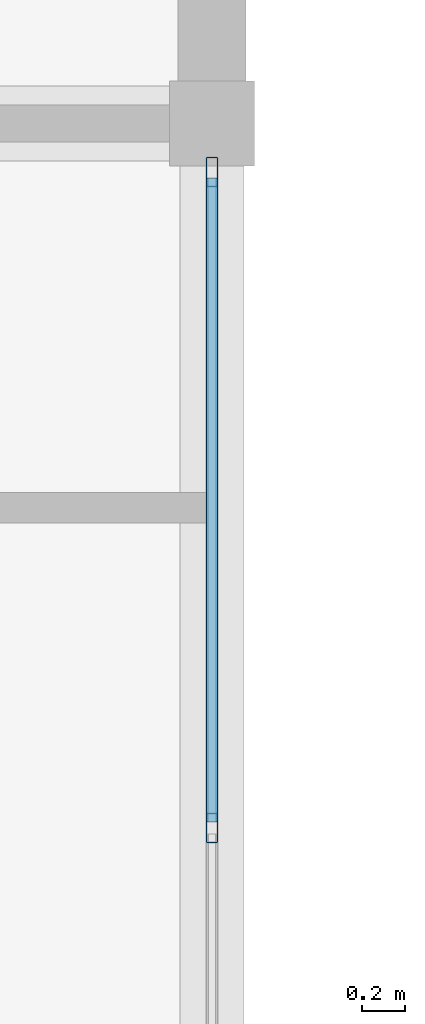
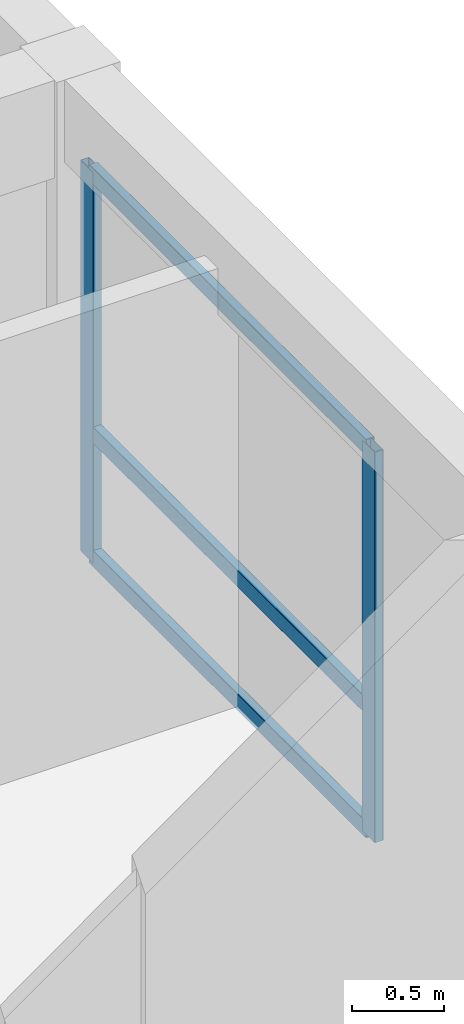
# One storey, part 10 of 53: 5 members, 1 element without a shape of its own.
"""IFC4 building model written with IfcOpenShell, lengths in metres."""

import ifcopenshell
import ifcopenshell.guid

model = None  # the IFC model being written
_history = None  # IfcOwnerHistory: only IFC2X3 demands one
_inside = {}  # id of a spatial element -> (the spatial element, [elements in it])
_under = {}  # id of a project, library or spatial element -> (it, [spatial elements below it])
_declared = {}  # id of a project -> (the project, [libraries it declares])
_typed = {}  # id of a type object -> (the type object, [elements of that type])
_made_of = {}  # id of a material, layer set ... -> (it, [elements and type objects made of it])


def new_model(schema):
    """Start an empty IFC model of exactly this schema.

    Asked for "IFC4X3", IfcOpenShell would pick the latest addendum, in which some entities
    have other attributes; the version numbers below select the first issue.
    IFC2X3 requires an IfcOwnerHistory on every rooted entity: one is made here for all.
    """
    global model, _history
    if schema == "IFC4X3":
        model = ifcopenshell.file(schema_version=(4, 3, 0, 0))
    else:
        model = ifcopenshell.file(schema=schema)
    _inside.clear()
    _under.clear()
    _declared.clear()
    _typed.clear()
    _made_of.clear()
    _history = None
    if model.schema == "IFC2X3":
        org = make("IfcOrganization", Name="unknown")
        user = make(
            "IfcPersonAndOrganization",
            ThePerson=make("IfcPerson", FamilyName="unknown"),
            TheOrganization=org,
        )
        app = make(
            "IfcApplication",
            ApplicationDeveloper=org,
            Version="unknown",
            ApplicationFullName="unknown",
            ApplicationIdentifier="unknown",
        )
        _history = make(
            "IfcOwnerHistory",
            OwningUser=user,
            OwningApplication=app,
            ChangeAction="ADDED",
            CreationDate=0,
        )
    return model


def make(cls, **values):
    """One entity of the class cls with the attributes given. An attribute that is None is left unset."""
    return model.create_entity(
        cls, **{name: value for name, value in values.items() if value is not None}
    )


def rooted(cls, **values):
    """An entity with a GlobalId (a new one), such as an element, a storey or a relation."""
    return make(cls, GlobalId=ifcopenshell.guid.new(), OwnerHistory=_history, **values)


def si_unit(unit_type, name, prefix=None):
    """IfcSIUnit, for example si_unit("LENGTHUNIT", "METRE", prefix="MILLI")."""
    return make("IfcSIUnit", UnitType=unit_type, Prefix=prefix, Name=name)


def assignment(units):
    """IfcUnitAssignment: the units of a project."""
    return None if units is None else make("IfcUnitAssignment", Units=units)


def point(xyz):
    """IfcCartesianPoint."""
    return None if xyz is None else make("IfcCartesianPoint", Coordinates=xyz)


def direction(xyz):
    """IfcDirection."""
    return None if xyz is None else make("IfcDirection", DirectionRatios=xyz)


def frame(location, z_axis=None, x_axis=None):
    """IfcAxis2Placement3D, a coordinate frame: its origin and axes. An axis left out is left unset."""
    return make(
        "IfcAxis2Placement3D",
        Location=point(location),
        Axis=direction(z_axis),
        RefDirection=direction(x_axis),
    )


def frame_2d(location, x_axis=None):
    """IfcAxis2Placement2D, a coordinate frame in the plane: its origin and x axis."""
    return make(
        "IfcAxis2Placement2D", Location=point(location), RefDirection=direction(x_axis)
    )


def origin():
    """The frame at (0, 0, 0) with its axes left unset."""
    return frame((0.0, 0.0, 0.0))


def origin_2d():
    """The frame at (0, 0) in the plane with its x axis left unset."""
    return frame_2d((0.0, 0.0))


def place(relative_to, where):
    """IfcLocalPlacement: puts the frame where relative to a parent placement (None: the world)."""
    return make(
        "IfcLocalPlacement", PlacementRelTo=relative_to, RelativePlacement=where
    )


def context(
    kind, dimensions, precision=None, world=None, true_north=None, identifier=None
):
    """IfcGeometricRepresentationContext, for example the 3D "Model" context."""
    return make(
        "IfcGeometricRepresentationContext",
        ContextIdentifier=identifier,
        ContextType=kind,
        CoordinateSpaceDimension=dimensions,
        Precision=precision,
        WorldCoordinateSystem=world,
        TrueNorth=true_north,
    )


def subcontext(parent, identifier, kind, view, scale=None):
    """IfcGeometricRepresentationSubContext, for example "Body" below "Model"."""
    return make(
        "IfcGeometricRepresentationSubContext",
        ContextIdentifier=identifier,
        ContextType=kind,
        ParentContext=parent,
        TargetScale=scale,
        TargetView=view,
    )


def project(units=None, contexts=None):
    """IfcProject with its units and contexts."""
    return rooted(
        "IfcProject",
        Name="project",
        RepresentationContexts=contexts,
        UnitsInContext=assignment(units),
    )


def spatial(cls, under=None, at=None, **own):
    """A site, building, storey or space (cls), placed at a placement, below another one or the project."""
    s = rooted(cls, ObjectPlacement=at, **own)
    if under is not None:
        _under.setdefault(under.id(), (under, []))[1].append(s)
    return s


def profile(cls, at=None, kind="AREA", **sizes):
    """A parametric profile (cls). Its sizes go by their IFC names, for example OverallWidth=200.0."""
    return make(cls, ProfileType=kind, Position=at, **sizes)


def hollow_rectangle(**sizes):
    """IfcRectangleHollowProfileDef."""
    return profile("IfcRectangleHollowProfileDef", **sizes)


def extrude(swept, where, along, depth):
    """IfcExtrudedAreaSolid: the profile swept, set in the frame where, extruded along a direction by depth."""
    return make(
        "IfcExtrudedAreaSolid",
        SweptArea=swept,
        Position=where,
        ExtrudedDirection=direction(along),
        Depth=depth,
    )


def shape(context_of_items, identifier, shape_type, items):
    """IfcShapeRepresentation: the items that make up one representation, for example the "Body"."""
    return make(
        "IfcShapeRepresentation",
        ContextOfItems=context_of_items,
        RepresentationIdentifier=identifier,
        RepresentationType=shape_type,
        Items=items,
    )


def material(Name=None, Category=None):
    """IfcMaterial."""
    return make("IfcMaterial", Name=Name, Category=Category)


def material_profile(
    of_material, cross_section, Name=None, Category=None, Priority=None
):
    """IfcMaterialProfile: a cross section and its material."""
    return make(
        "IfcMaterialProfile",
        Name=Name,
        Material=of_material,
        Profile=cross_section,
        Priority=Priority,
        Category=Category,
    )


def profile_set(profiles, Name=None, composite=None):
    """IfcMaterialProfileSet."""
    return make(
        "IfcMaterialProfileSet",
        Name=Name,
        MaterialProfiles=profiles,
        CompositeProfile=composite,
    )


def made_of(thing, what):
    """Note that an element or type object is made of a material, layer set ...; save() writes the relation."""
    if what is not None:
        _made_of.setdefault(what.id(), (what, []))[1].append(thing)
    return thing


def type_object(cls, material=None, **own):
    """A type object (cls), such as IfcWallType, which elements share."""
    return made_of(rooted(cls, **own), material)


def element(
    cls,
    number,
    at=None,
    inside=None,
    cuts=None,
    type_object=None,
    material=None,
    context=None,
    identifier="Body",
    shape_type=None,
    held_by="IfcProductDefinitionShape",
    body=None,
    shapes=None,
    **own,
):
    """One element of the class cls, such as IfcWall. Its Tag is "e" and its number.

    at: its placement. inside: the storey or other place that contains it. cuts: it is an
    opening in that element (IfcRelVoidsElement). A single representation is given by context,
    identifier, shape_type and body (its items); several are given by shapes. held_by: the class
    of the entity that holds the representations. save() writes the other relations.
    """
    e = rooted(cls, Tag="e%d" % number, ObjectPlacement=at, **own)
    if body is not None:
        shapes = [shape(context, identifier, shape_type, body)]
    if shapes is not None:
        e.Representation = make(held_by, Representations=shapes)
    if inside is not None:
        _inside.setdefault(inside.id(), (inside, []))[1].append(e)
    if cuts is not None:
        rooted(
            "IfcRelVoidsElement", RelatingBuildingElement=cuts, RelatedOpeningElement=e
        )
    if type_object is not None:
        _typed.setdefault(type_object.id(), (type_object, []))[1].append(e)
    return made_of(e, material)


def aggregate(whole, parts):
    """IfcRelAggregates: a whole, such as a stair, and the parts it consists of."""
    return rooted("IfcRelAggregates", RelatingObject=whole, RelatedObjects=parts)


def save(model, path):
    """Write the relations noted so far, then the file.

    IfcRelAggregates (storeys below a building ...), IfcRelContainedInSpatialStructure (elements
    in a storey), IfcRelDefinesByType, IfcRelAssociatesMaterial and IfcRelDeclares: one each for
    every whole, place, type object, material and project.
    """
    for whole, parts in _under.values():
        aggregate(whole, parts)
    for where, things in _inside.values():
        rooted(
            "IfcRelContainedInSpatialStructure",
            RelatedElements=things,
            RelatingStructure=where,
        )
    for kind, things in _typed.values():
        rooted("IfcRelDefinesByType", RelatedObjects=things, RelatingType=kind)
    for what, things in _made_of.values():
        rooted("IfcRelAssociatesMaterial", RelatedObjects=things, RelatingMaterial=what)
    for by, libraries in _declared.values():
        rooted("IfcRelDeclares", RelatingContext=by, RelatedDefinitions=libraries)
    model.write(path)


model = new_model("IFC4")

# Units and contexts
model_context = context("Model", 3, precision=1e-05, world=origin(), true_north=direction((0.0, 1.0)))
body_context = subcontext(model_context, "Body", "Model", "MODEL_VIEW")
ifc_project = project(units=[si_unit("LENGTHUNIT", "METRE"), si_unit("AREAUNIT", "SQUARE_METRE"), si_unit("VOLUMEUNIT", "CUBIC_METRE"), si_unit("PLANEANGLEUNIT", "RADIAN"), si_unit("MASSUNIT", "GRAM", prefix="KILO")], contexts=[model_context])

# Site, building, storey
site_placement = place(None, origin())
site = spatial("IfcSite", under=ifc_project, at=site_placement, CompositionType="ELEMENT")
building_placement = place(site_placement, origin())
building = spatial("IfcBuilding", under=site, at=building_placement, Name="Kernevlak Ridge Housing Community", CompositionType="ELEMENT")
storey_placement = place(building_placement, frame((0.0, 0.0, 18.0)))
storey = spatial("IfcBuildingStorey", under=building, at=storey_placement, Name="L05", CompositionType="ELEMENT", Elevation=18.0)

# Curtain wall, members
ifc_material_1 = material(Name="Aluminium EN AW-6060 anodised and laminated glass", Category="aluminium")
curtain_wall_type = type_object("IfcCurtainWallType", Name="CW-03", PredefinedType="NOTDEFINED", material=ifc_material_1)
curtain_wall_placement = place(storey_placement, origin())
curtain_wall = element("IfcCurtainWall", 1, at=curtain_wall_placement, inside=storey, type_object=curtain_wall_type, Name="Curtain wall CW-03 CW-L05-156", PredefinedType="NOTDEFINED")
ifc_material_2 = material(Name="Aluminium EN AW-6060 anodised", Category="aluminium")
ifc_material_profile_1 = material_profile(ifc_material_2, hollow_rectangle(XDim=0.054931640625, YDim=0.139892578125, WallThickness=0.00390625, InnerFilletRadius=0.001953125, OuterFilletRadius=0.00390625, at=origin_2d()), Name="ALU 55x140x4")
ifc_profile_set_1 = profile_set([ifc_material_profile_1], Name="Aluminium EN AW-6060 anodised")
member_type_1 = type_object("IfcMemberType", Name="MU-01", PredefinedType="MULLION", material=ifc_profile_set_1)
member_1_placement = place(storey_placement, frame((42.0, 25.5, 0.0), z_axis=(0.0, 0.0, 1.0), x_axis=(-1.0, 0.0, 0.0)))
member_1 = element("IfcMember", 2, at=member_1_placement, type_object=member_type_1, Name="CW-03 mullion 2", PredefinedType="MULLION", context=body_context, shape_type="SweptSolid", body=[
    extrude(hollow_rectangle(XDim=0.054931640625, YDim=0.139892578125, WallThickness=0.00390625, InnerFilletRadius=0.001953125, OuterFilletRadius=0.00390625, at=origin_2d()), origin(), (0.0, 0.0, 1.0), 2.60009765625),
])
member_2_placement = place(storey_placement, frame((42.0, 28.572509765625, 0.0), z_axis=(0.0, 0.0, 1.0), x_axis=(-1.0, 0.0, 0.0)))
member_2 = element("IfcMember", 3, at=member_2_placement, type_object=member_type_1, Name="CW-03 mullion 3", PredefinedType="MULLION", context=body_context, shape_type="SweptSolid", body=[
    extrude(hollow_rectangle(XDim=0.054931640625, YDim=0.139892578125, WallThickness=0.00390625, InnerFilletRadius=0.001953125, OuterFilletRadius=0.00390625, at=origin_2d()), origin(), (0.0, 0.0, 1.0), 2.60009765625),
])
ifc_material_profile_2 = material_profile(ifc_material_2, hollow_rectangle(XDim=0.054931640625, YDim=0.110107421875, WallThickness=0.00390625, InnerFilletRadius=0.001953125, OuterFilletRadius=0.00390625, at=origin_2d()), Name="ALU 55x110x4")
ifc_profile_set_2 = profile_set([ifc_material_profile_2], Name="Aluminium EN AW-6060 anodised")
member_type_2 = type_object("IfcMemberType", Name="TM-01", PredefinedType="USERDEFINED", material=ifc_profile_set_2)
member_3_placement = place(storey_placement, frame((42.0, 25.527587890625, 0.027587890625), z_axis=(0.0, 1.0, 0.0), x_axis=(-1.0, 0.0, 0.0)))
member_3 = element("IfcMember", 4, at=member_3_placement, type_object=member_type_2, Name="CW-03 transom 2.1", ObjectType="TRANSOM", PredefinedType="USERDEFINED", context=body_context, shape_type="SweptSolid", body=[
    extrude(hollow_rectangle(XDim=0.054931640625, YDim=0.110107421875, WallThickness=0.00390625, InnerFilletRadius=0.001953125, OuterFilletRadius=0.00390625, at=origin_2d()), origin(), (0.0, 0.0, 1.0), 3.017333984375),
])
member_4_placement = place(storey_placement, frame((42.0, 25.527587890625, 0.85009765625), z_axis=(0.0, 1.0, 0.0), x_axis=(-1.0, 0.0, 0.0)))
member_4 = element("IfcMember", 5, at=member_4_placement, type_object=member_type_2, Name="CW-03 transom 2.2", ObjectType="TRANSOM", PredefinedType="USERDEFINED", context=body_context, shape_type="SweptSolid", body=[
    extrude(hollow_rectangle(XDim=0.054931640625, YDim=0.110107421875, WallThickness=0.00390625, InnerFilletRadius=0.001953125, OuterFilletRadius=0.00390625, at=origin_2d()), origin(), (0.0, 0.0, 1.0), 3.017333984375),
])
member_5_placement = place(storey_placement, frame((42.0, 25.527587890625, 2.572509765625), z_axis=(0.0, 1.0, 0.0), x_axis=(-1.0, 0.0, 0.0)))
member_5 = element("IfcMember", 6, at=member_5_placement, type_object=member_type_2, Name="CW-03 transom 2.3", ObjectType="TRANSOM", PredefinedType="USERDEFINED", context=body_context, shape_type="SweptSolid", body=[
    extrude(hollow_rectangle(XDim=0.054931640625, YDim=0.110107421875, WallThickness=0.00390625, InnerFilletRadius=0.001953125, OuterFilletRadius=0.00390625, at=origin_2d()), origin(), (0.0, 0.0, 1.0), 3.017333984375),
])
aggregate(curtain_wall, [member_1, member_2, member_3, member_4, member_5])

save(model, "model.ifc")
